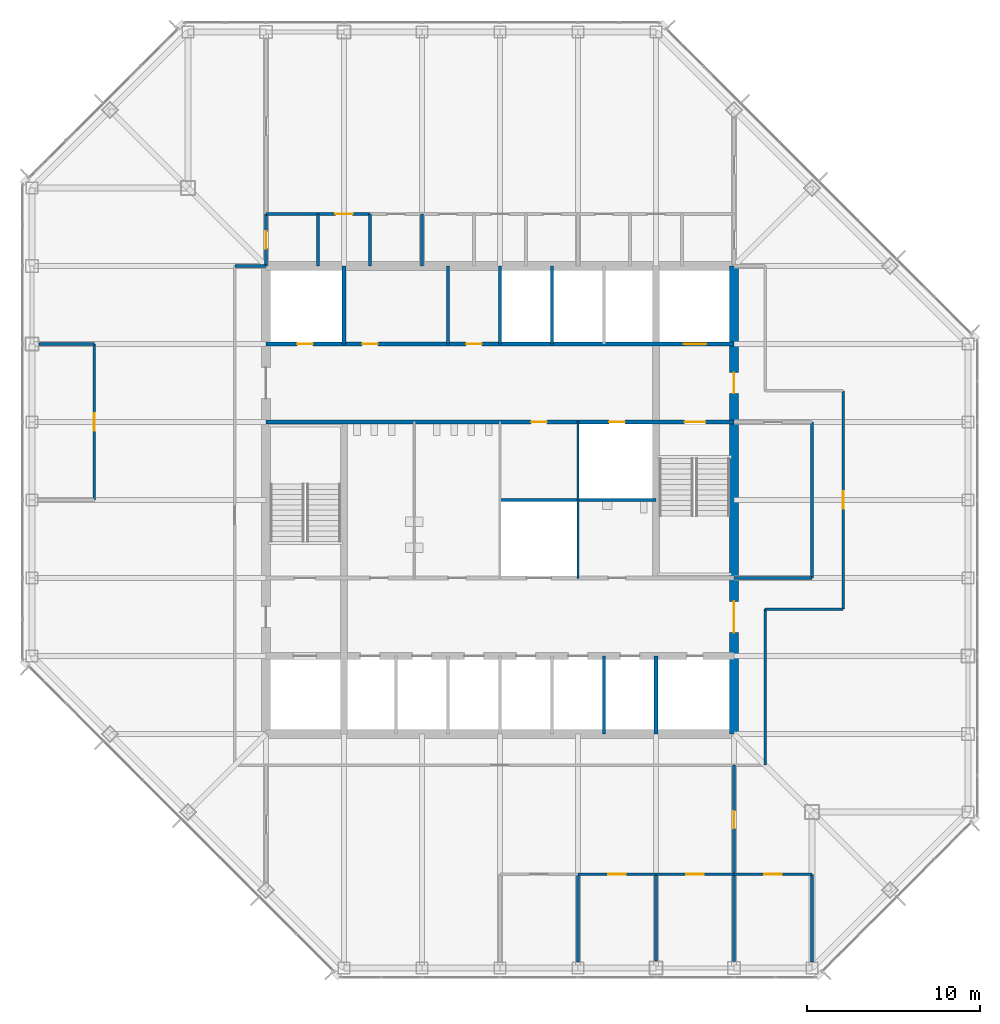
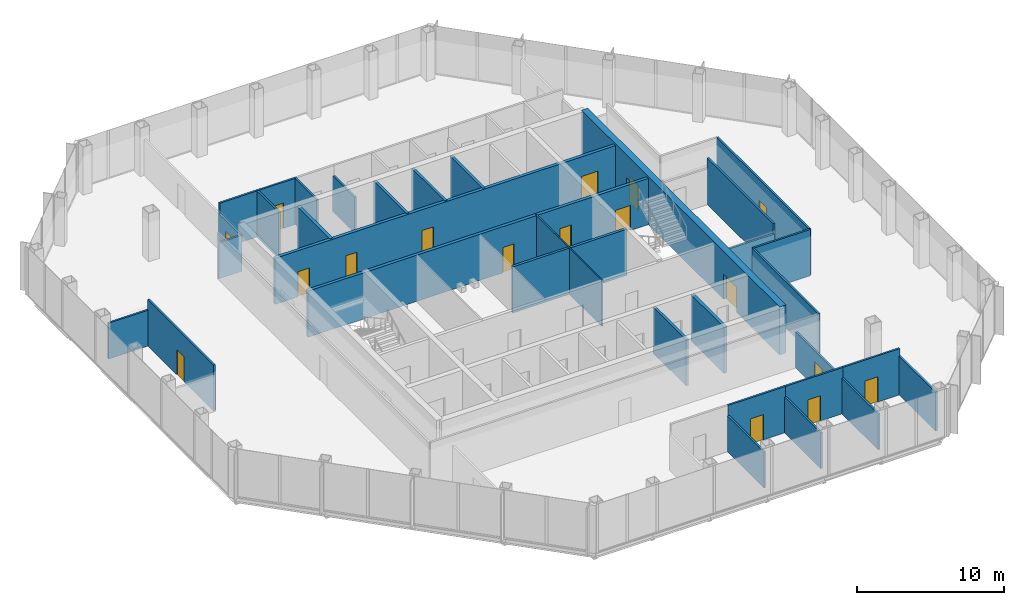
# One storey, part 9 of 12: 33 walls, 17 doors, 17 openings.
"""IFC4 building model written with IfcOpenShell, lengths in metres."""

import ifcopenshell
import ifcopenshell.guid

model = None  # the IFC model being written
_history = None  # IfcOwnerHistory: only IFC2X3 demands one
_inside = {}  # id of a spatial element -> (the spatial element, [elements in it])
_under = {}  # id of a project, library or spatial element -> (it, [spatial elements below it])
_declared = {}  # id of a project -> (the project, [libraries it declares])
_typed = {}  # id of a type object -> (the type object, [elements of that type])
_made_of = {}  # id of a material, layer set ... -> (it, [elements and type objects made of it])


def new_model(schema):
    """Start an empty IFC model of exactly this schema.

    Asked for "IFC4X3", IfcOpenShell would pick the latest addendum, in which some entities
    have other attributes; the version numbers below select the first issue.
    IFC2X3 requires an IfcOwnerHistory on every rooted entity: one is made here for all.
    """
    global model, _history
    if schema == "IFC4X3":
        model = ifcopenshell.file(schema_version=(4, 3, 0, 0))
    else:
        model = ifcopenshell.file(schema=schema)
    _inside.clear()
    _under.clear()
    _declared.clear()
    _typed.clear()
    _made_of.clear()
    _history = None
    if model.schema == "IFC2X3":
        org = make("IfcOrganization", Name="unknown")
        user = make(
            "IfcPersonAndOrganization",
            ThePerson=make("IfcPerson", FamilyName="unknown"),
            TheOrganization=org,
        )
        app = make(
            "IfcApplication",
            ApplicationDeveloper=org,
            Version="unknown",
            ApplicationFullName="unknown",
            ApplicationIdentifier="unknown",
        )
        _history = make(
            "IfcOwnerHistory",
            OwningUser=user,
            OwningApplication=app,
            ChangeAction="ADDED",
            CreationDate=0,
        )
    return model


def make(cls, **values):
    """One entity of the class cls with the attributes given. An attribute that is None is left unset."""
    return model.create_entity(
        cls, **{name: value for name, value in values.items() if value is not None}
    )


def rooted(cls, **values):
    """An entity with a GlobalId (a new one), such as an element, a storey or a relation."""
    return make(cls, GlobalId=ifcopenshell.guid.new(), OwnerHistory=_history, **values)


def si_unit(unit_type, name, prefix=None):
    """IfcSIUnit, for example si_unit("LENGTHUNIT", "METRE", prefix="MILLI")."""
    return make("IfcSIUnit", UnitType=unit_type, Prefix=prefix, Name=name)


def assignment(units):
    """IfcUnitAssignment: the units of a project."""
    return None if units is None else make("IfcUnitAssignment", Units=units)


def point(xyz):
    """IfcCartesianPoint."""
    return None if xyz is None else make("IfcCartesianPoint", Coordinates=xyz)


def direction(xyz):
    """IfcDirection."""
    return None if xyz is None else make("IfcDirection", DirectionRatios=xyz)


def frame(location, z_axis=None, x_axis=None):
    """IfcAxis2Placement3D, a coordinate frame: its origin and axes. An axis left out is left unset."""
    return make(
        "IfcAxis2Placement3D",
        Location=point(location),
        Axis=direction(z_axis),
        RefDirection=direction(x_axis),
    )


def frame_2d(location, x_axis=None):
    """IfcAxis2Placement2D, a coordinate frame in the plane: its origin and x axis."""
    return make(
        "IfcAxis2Placement2D", Location=point(location), RefDirection=direction(x_axis)
    )


def origin():
    """The frame at (0, 0, 0) with its axes left unset."""
    return frame((0.0, 0.0, 0.0))


def place(relative_to, where):
    """IfcLocalPlacement: puts the frame where relative to a parent placement (None: the world)."""
    return make(
        "IfcLocalPlacement", PlacementRelTo=relative_to, RelativePlacement=where
    )


def context(
    kind, dimensions, precision=None, world=None, true_north=None, identifier=None
):
    """IfcGeometricRepresentationContext, for example the 3D "Model" context."""
    return make(
        "IfcGeometricRepresentationContext",
        ContextIdentifier=identifier,
        ContextType=kind,
        CoordinateSpaceDimension=dimensions,
        Precision=precision,
        WorldCoordinateSystem=world,
        TrueNorth=true_north,
    )


def subcontext(parent, identifier, kind, view, scale=None):
    """IfcGeometricRepresentationSubContext, for example "Body" below "Model"."""
    return make(
        "IfcGeometricRepresentationSubContext",
        ContextIdentifier=identifier,
        ContextType=kind,
        ParentContext=parent,
        TargetScale=scale,
        TargetView=view,
    )


def project(units=None, contexts=None):
    """IfcProject with its units and contexts."""
    return rooted(
        "IfcProject",
        Name="project",
        RepresentationContexts=contexts,
        UnitsInContext=assignment(units),
    )


def spatial(cls, under=None, at=None, **own):
    """A site, building, storey or space (cls), placed at a placement, below another one or the project."""
    s = rooted(cls, ObjectPlacement=at, **own)
    if under is not None:
        _under.setdefault(under.id(), (under, []))[1].append(s)
    return s


def profile(cls, at=None, kind="AREA", **sizes):
    """A parametric profile (cls). Its sizes go by their IFC names, for example OverallWidth=200.0."""
    return make(cls, ProfileType=kind, Position=at, **sizes)


def rectangle(**sizes):
    """IfcRectangleProfileDef."""
    return profile("IfcRectangleProfileDef", **sizes)


def extrude(swept, where, along, depth):
    """IfcExtrudedAreaSolid: the profile swept, set in the frame where, extruded along a direction by depth."""
    return make(
        "IfcExtrudedAreaSolid",
        SweptArea=swept,
        Position=where,
        ExtrudedDirection=direction(along),
        Depth=depth,
    )


def shape(context_of_items, identifier, shape_type, items):
    """IfcShapeRepresentation: the items that make up one representation, for example the "Body"."""
    return make(
        "IfcShapeRepresentation",
        ContextOfItems=context_of_items,
        RepresentationIdentifier=identifier,
        RepresentationType=shape_type,
        Items=items,
    )


def material(Name=None, Category=None):
    """IfcMaterial."""
    return make("IfcMaterial", Name=Name, Category=Category)


def layer(
    of_material, thickness, ventilated=None, Name=None, Category=None, Priority=None
):
    """IfcMaterialLayer: one layer of a wall or slab, of a material (None: an air gap)."""
    return make(
        "IfcMaterialLayer",
        Material=of_material,
        LayerThickness=thickness,
        IsVentilated=ventilated,
        Name=Name,
        Category=Category,
        Priority=Priority,
    )


def layer_set(layers, Name=None):
    """IfcMaterialLayerSet."""
    return make("IfcMaterialLayerSet", MaterialLayers=layers, LayerSetName=Name)


def made_of(thing, what):
    """Note that an element or type object is made of a material, layer set ...; save() writes the relation."""
    if what is not None:
        _made_of.setdefault(what.id(), (what, []))[1].append(thing)
    return thing


def type_object(cls, material=None, **own):
    """A type object (cls), such as IfcWallType, which elements share."""
    return made_of(rooted(cls, **own), material)


def element(
    cls,
    number,
    at=None,
    inside=None,
    cuts=None,
    type_object=None,
    material=None,
    context=None,
    identifier="Body",
    shape_type=None,
    held_by="IfcProductDefinitionShape",
    body=None,
    shapes=None,
    **own,
):
    """One element of the class cls, such as IfcWall. Its Tag is "e" and its number.

    at: its placement. inside: the storey or other place that contains it. cuts: it is an
    opening in that element (IfcRelVoidsElement). A single representation is given by context,
    identifier, shape_type and body (its items); several are given by shapes. held_by: the class
    of the entity that holds the representations. save() writes the other relations.
    """
    e = rooted(cls, Tag="e%d" % number, ObjectPlacement=at, **own)
    if body is not None:
        shapes = [shape(context, identifier, shape_type, body)]
    if shapes is not None:
        e.Representation = make(held_by, Representations=shapes)
    if inside is not None:
        _inside.setdefault(inside.id(), (inside, []))[1].append(e)
    if cuts is not None:
        rooted(
            "IfcRelVoidsElement", RelatingBuildingElement=cuts, RelatedOpeningElement=e
        )
    if type_object is not None:
        _typed.setdefault(type_object.id(), (type_object, []))[1].append(e)
    return made_of(e, material)


def fill(opening, filler):
    """IfcRelFillsElement: the door or window that sits in an opening."""
    return rooted(
        "IfcRelFillsElement",
        RelatingOpeningElement=opening,
        RelatedBuildingElement=filler,
    )


def aggregate(whole, parts):
    """IfcRelAggregates: a whole, such as a stair, and the parts it consists of."""
    return rooted("IfcRelAggregates", RelatingObject=whole, RelatedObjects=parts)


def save(model, path):
    """Write the relations noted so far, then the file.

    IfcRelAggregates (storeys below a building ...), IfcRelContainedInSpatialStructure (elements
    in a storey), IfcRelDefinesByType, IfcRelAssociatesMaterial and IfcRelDeclares: one each for
    every whole, place, type object, material and project.
    """
    for whole, parts in _under.values():
        aggregate(whole, parts)
    for where, things in _inside.values():
        rooted(
            "IfcRelContainedInSpatialStructure",
            RelatedElements=things,
            RelatingStructure=where,
        )
    for kind, things in _typed.values():
        rooted("IfcRelDefinesByType", RelatedObjects=things, RelatingType=kind)
    for what, things in _made_of.values():
        rooted("IfcRelAssociatesMaterial", RelatedObjects=things, RelatingMaterial=what)
    for by, libraries in _declared.values():
        rooted("IfcRelDeclares", RelatingContext=by, RelatedDefinitions=libraries)
    model.write(path)


model = new_model("IFC4")

# Units and contexts
model_context = context("Model", 3, precision=1e-05, world=origin(), true_north=direction((0.0, 1.0)))
body_context = subcontext(model_context, "Body", "Model", "MODEL_VIEW")
ifc_project = project(units=[si_unit("LENGTHUNIT", "METRE"), si_unit("AREAUNIT", "SQUARE_METRE"), si_unit("VOLUMEUNIT", "CUBIC_METRE"), si_unit("PLANEANGLEUNIT", "RADIAN"), si_unit("MASSUNIT", "GRAM", prefix="KILO")], contexts=[model_context])

# Site, building, storey
site_placement = place(None, origin())
site = spatial("IfcSite", under=ifc_project, at=site_placement, CompositionType="ELEMENT")
building_placement = place(site_placement, origin())
building = spatial("IfcBuilding", under=site, at=building_placement, Name="Corais Broadcast Tower", CompositionType="ELEMENT")
storey_placement = place(building_placement, frame((0.0, 0.0, 163.60009765625)))
storey = spatial("IfcBuildingStorey", under=building, at=storey_placement, Name="L37", CompositionType="ELEMENT", Elevation=163.60009765625)

# Walls
ifc_material_1 = material(Name="Concrete blockwork class A, grouted, two-hour", Category="masonry")
ifc_layer_1 = layer(ifc_material_1, 0.25)
ifc_layer_set_1 = layer_set([ifc_layer_1], Name="Concrete blockwork class A, grouted, two-hour")
wall_type_1 = type_object("IfcWallType", Name="Core lobby wall 250", PredefinedType="SOLIDWALL", material=ifc_layer_set_1)
for number, where, z_axis, x_axis, name in (
    (1, (18.0, 36.0, 0.0), (0.0, 0.0, 1.0), (0.0, 1.0, 0.0), "CL2 core shaft wall X18B L37"),
    (2, (36.0, 13.5, 0.0), (0.0, 0.0, 1.0), (0.0, 1.0, 0.0), "CL2 core shaft wall X36A L37"),
):
    element("IfcWall", number, at=place(storey_placement, frame(where, z_axis=z_axis, x_axis=x_axis)), inside=storey, type_object=wall_type_1, Name=name, PredefinedType="SOLIDWALL", context=body_context, shape_type="SweptSolid", body=[
        extrude(rectangle(XDim=4.5, YDim=0.25, at=frame_2d((2.25, 0.0))), origin(), (0.0, 0.0, 1.0), 3.83984375),
    ])

# Wall, openings, doors
wall_1_placement = place(storey_placement, frame((13.5, 31.5, 0.0), z_axis=(0.0, 0.0, 1.0), x_axis=(1.0, 0.0, 0.0)))
wall_1 = element("IfcWall", 3, at=wall_1_placement, inside=storey, type_object=wall_type_1, Name="CL2 core lobby wall Y315 L37", PredefinedType="SOLIDWALL", context=body_context, shape_type="SweptSolid", body=[
    extrude(rectangle(XDim=27.0, YDim=0.25, at=frame_2d((13.5, 0.0))), origin(), (0.0, 0.0, 1.0), 3.83984375),
])
opening_1_placement = place(wall_1_placement, frame((24.14990234375, 0.0, 0.0)))
opening_1 = element("IfcOpeningElement", 4, at=opening_1_placement, cuts=wall_1, Name="Opening FD1", PredefinedType="OPENING", context=body_context, shape_type="SweptSolid", body=[
    extrude(rectangle(XDim=1.199951171875, YDim=2.10009765625, at=frame_2d((0.60009765625, 1.050048828125))), frame((0.0, 0.135009765625, 0.0), z_axis=(0.0, -1.0, 0.0), x_axis=(1.0, 0.0, 0.0)), (0.0, 0.0, 1.0), 0.27001953125),
])
opening_2_placement = place(wall_1_placement, frame((15.300048828125, 0.0, 0.0)))
opening_2 = element("IfcOpeningElement", 5, at=opening_2_placement, cuts=wall_1, Name="Opening RD1", PredefinedType="OPENING", context=body_context, shape_type="SweptSolid", body=[
    extrude(rectangle(XDim=0.89990234375, YDim=2.10009765625, at=frame_2d((0.449951171875, 1.050048828125))), frame((0.0, 0.135009765625, 0.0), z_axis=(0.0, -1.0, 0.0), x_axis=(1.0, 0.0, 0.0)), (0.0, 0.0, 1.0), 0.27001953125),
])
opening_3_placement = place(wall_1_placement, frame((19.800048828125, 0.0, 0.0)))
opening_3 = element("IfcOpeningElement", 6, at=opening_3_placement, cuts=wall_1, Name="Opening RD1", PredefinedType="OPENING", context=body_context, shape_type="SweptSolid", body=[
    extrude(rectangle(XDim=0.89990234375, YDim=2.10009765625, at=frame_2d((0.449951171875, 1.050048828125))), frame((0.0, 0.135009765625, 0.0), z_axis=(0.0, -1.0, 0.0), x_axis=(1.0, 0.0, 0.0)), (0.0, 0.0, 1.0), 0.27001953125),
])
ifc_material_2 = material(Name="Steel fire door", Category="steel")
door_type_1 = type_object("IfcDoorType", Name="Fire door 1200x2100", OperationType="SINGLE_SWING_LEFT", PredefinedType="DOOR", material=ifc_material_2)
door_1_placement = place(opening_1_placement, origin())
door_1 = element("IfcDoor", 7, at=door_1_placement, inside=storey, type_object=door_type_1, Name="FD1 stair B door L37", OperationType="SINGLE_SWING_RIGHT", OverallHeight=2.10009765625, OverallWidth=1.199951171875, PredefinedType="DOOR", context=body_context, shape_type="SweptSolid", body=[
    extrude(rectangle(XDim=1.199951171875, YDim=2.10009765625, at=frame_2d((0.60009765625, 1.050048828125))), frame((0.0, 0.02490234375, 0.0), z_axis=(0.0, -1.0, 0.0), x_axis=(1.0, 0.0, 0.0)), (0.0, 0.0, 1.0), 0.050048828125),
])
fill(opening_1, door_1)
ifc_material_3 = material(Name="Steel fire door", Category="steel")
door_type_2 = type_object("IfcDoorType", Name="Riser door 900x2100", OperationType="SINGLE_SWING_LEFT", PredefinedType="DOOR", material=ifc_material_3)
door_2_placement = place(opening_2_placement, origin())
door_2 = element("IfcDoor", 8, at=door_2_placement, inside=storey, type_object=door_type_2, Name="RD1 print room door L37", OperationType="SINGLE_SWING_RIGHT", OverallHeight=2.10009765625, OverallWidth=0.89990234375, PredefinedType="DOOR", context=body_context, shape_type="SweptSolid", body=[
    extrude(rectangle(XDim=0.89990234375, YDim=2.10009765625, at=frame_2d((0.449951171875, 1.050048828125))), frame((0.0, 0.02490234375, 0.0), z_axis=(0.0, -1.0, 0.0), x_axis=(1.0, 0.0, 0.0)), (0.0, 0.0, 1.0), 0.050048828125),
])
fill(opening_2, door_2)
door_3_placement = place(opening_3_placement, origin())
door_3 = element("IfcDoor", 9, at=door_3_placement, inside=storey, type_object=door_type_2, Name="RD1 riser door L37", OperationType="SINGLE_SWING_RIGHT", OverallHeight=2.10009765625, OverallWidth=0.89990234375, PredefinedType="DOOR", context=body_context, shape_type="SweptSolid", body=[
    extrude(rectangle(XDim=0.89990234375, YDim=2.10009765625, at=frame_2d((0.449951171875, 1.050048828125))), frame((0.0, 0.02490234375, 0.0), z_axis=(0.0, -1.0, 0.0), x_axis=(1.0, 0.0, 0.0)), (0.0, 0.0, 1.0), 0.050048828125),
])
fill(opening_3, door_3)

ifc_material_4 = material(Name="Concrete C50/60", Category="concrete")
ifc_layer_2 = layer(ifc_material_4, 0.5)
ifc_layer_set_2 = layer_set([ifc_layer_2], Name="Concrete C50/60")
wall_type_2 = type_object("IfcWallType", Name="Core wall 500", PredefinedType="SHEAR", material=ifc_layer_set_2)
wall_2_placement = place(storey_placement, frame((40.5, 13.5, 0.0), z_axis=(0.0, 0.0, 1.0), x_axis=(0.0, 1.0, 0.0)))
wall_2 = element("IfcWall", 10, at=wall_2_placement, inside=storey, type_object=wall_type_2, Name="CR500 core wall E L37", PredefinedType="SHEAR", context=body_context, shape_type="SweptSolid", body=[
    extrude(rectangle(XDim=27.0, YDim=0.5, at=frame_2d((13.5, 0.0))), origin(), (0.0, 0.0, 1.0), 4.0),
])
opening_4_placement = place(wall_2_placement, frame((5.85009765625, 0.0, 0.0)))
opening_4 = element("IfcOpeningElement", 11, at=opening_4_placement, cuts=wall_2, Name="Opening FD2", PredefinedType="OPENING", context=body_context, shape_type="SweptSolid", body=[
    extrude(rectangle(XDim=1.800048828125, YDim=2.10009765625, at=frame_2d((0.89990234375, 1.050048828125))), frame((0.0, 0.260009765625, 0.0), z_axis=(0.0, -1.0, 0.0), x_axis=(1.0, 0.0, 0.0)), (0.0, 0.0, 1.0), 0.52001953125),
])
opening_5_placement = place(wall_2_placement, frame((19.64990234375, 0.0, 0.0)))
opening_5 = element("IfcOpeningElement", 12, at=opening_5_placement, cuts=wall_2, Name="Opening FD1", PredefinedType="OPENING", context=body_context, shape_type="SweptSolid", body=[
    extrude(rectangle(XDim=1.199951171875, YDim=2.10009765625, at=frame_2d((0.60009765625, 1.050048828125))), frame((0.0, 0.260009765625, 0.0), z_axis=(0.0, -1.0, 0.0), x_axis=(1.0, 0.0, 0.0)), (0.0, 0.0, 1.0), 0.52001953125),
])
door_4_placement = place(opening_5_placement, origin())
door_4 = element("IfcDoor", 13, at=door_4_placement, inside=storey, type_object=door_type_1, Name="FD1 fire lobby B door L37", OperationType="SINGLE_SWING_RIGHT", OverallHeight=2.10009765625, OverallWidth=1.199951171875, PredefinedType="DOOR", context=body_context, shape_type="SweptSolid", body=[
    extrude(rectangle(XDim=1.199951171875, YDim=2.10009765625, at=frame_2d((0.60009765625, 1.050048828125))), frame((0.0, 0.02490234375, 0.0), z_axis=(0.0, -1.0, 0.0), x_axis=(1.0, 0.0, 0.0)), (0.0, 0.0, 1.0), 0.050048828125),
])
fill(opening_5, door_4)
ifc_material_5 = material(Name="Steel fire door", Category="steel")
door_type_3 = type_object("IfcDoorType", Name="Fire door pair 1800x2100", OperationType="DOUBLE_DOOR_SINGLE_SWING", PredefinedType="DOOR", material=ifc_material_5)
door_5_placement = place(opening_4_placement, origin())
door_5 = element("IfcDoor", 14, at=door_5_placement, inside=storey, type_object=door_type_3, Name="FD2 lift lobby door L37", OperationType="SINGLE_SWING_LEFT", OverallHeight=2.10009765625, OverallWidth=1.800048828125, PredefinedType="DOOR", context=body_context, shape_type="SweptSolid", body=[
    extrude(rectangle(XDim=1.800048828125, YDim=2.10009765625, at=frame_2d((0.89990234375, 1.050048828125))), frame((0.0, 0.02490234375, 0.0), z_axis=(0.0, -1.0, 0.0), x_axis=(1.0, 0.0, 0.0)), (0.0, 0.0, 1.0), 0.050048828125),
])
fill(opening_4, door_5)

ifc_material_6 = material(Name="Concrete blockwork class A, grouted, four-hour", Category="masonry")
ifc_layer_3 = layer(ifc_material_6, 0.25)
ifc_layer_set_3 = layer_set([ifc_layer_3], Name="Concrete blockwork class A, grouted, four-hour")
wall_type_3 = type_object("IfcWallType", Name="Emergency lift shaft wall 250", PredefinedType="SOLIDWALL", material=ifc_layer_set_3)
wall_3_placement = place(storey_placement, frame((13.5, 36.0, 0.0), z_axis=(0.0, 0.0, 1.0), x_axis=(1.0, 0.0, 0.0)))
wall_3 = element("IfcWall", 15, at=wall_3_placement, inside=storey, type_object=wall_type_3, Name="LS2 core lobby wall Y36 L37", PredefinedType="SOLIDWALL", context=body_context, shape_type="SweptSolid", body=[
    extrude(rectangle(XDim=27.0, YDim=0.25, at=frame_2d((13.5, 0.0))), origin(), (0.0, 0.0, 1.0), 3.83984375),
])
opening_6_placement = place(wall_3_placement, frame((1.800048828125, 0.0, 0.0)))
opening_6 = element("IfcOpeningElement", 16, at=opening_6_placement, cuts=wall_3, Name="Opening RD1", PredefinedType="OPENING", context=body_context, shape_type="SweptSolid", body=[
    extrude(rectangle(XDim=0.89990234375, YDim=2.10009765625, at=frame_2d((0.449951171875, 1.050048828125))), frame((0.0, 0.135009765625, 0.0), z_axis=(0.0, -1.0, 0.0), x_axis=(1.0, 0.0, 0.0)), (0.0, 0.0, 1.0), 0.27001953125),
])
opening_7_placement = place(wall_3_placement, frame((5.550048828125, 0.0, 0.0)))
opening_7 = element("IfcOpeningElement", 17, at=opening_7_placement, cuts=wall_3, Name="Opening RD1", PredefinedType="OPENING", context=body_context, shape_type="SweptSolid", body=[
    extrude(rectangle(XDim=0.89990234375, YDim=2.10009765625, at=frame_2d((0.449951171875, 1.050048828125))), frame((0.0, 0.135009765625, 0.0), z_axis=(0.0, -1.0, 0.0), x_axis=(1.0, 0.0, 0.0)), (0.0, 0.0, 1.0), 0.27001953125),
])
opening_8_placement = place(wall_3_placement, frame((11.550048828125, 0.0, 0.0)))
opening_8 = element("IfcOpeningElement", 18, at=opening_8_placement, cuts=wall_3, Name="Opening RD1", PredefinedType="OPENING", context=body_context, shape_type="SweptSolid", body=[
    extrude(rectangle(XDim=0.89990234375, YDim=2.10009765625, at=frame_2d((0.449951171875, 1.050048828125))), frame((0.0, 0.135009765625, 0.0), z_axis=(0.0, -1.0, 0.0), x_axis=(1.0, 0.0, 0.0)), (0.0, 0.0, 1.0), 0.27001953125),
])
opening_9_placement = place(wall_3_placement, frame((24.10009765625, 0.0, 0.0)))
opening_9 = element("IfcOpeningElement", 19, at=opening_9_placement, cuts=wall_3, Name="Opening LD2", PredefinedType="OPENING", context=body_context, shape_type="SweptSolid", body=[
    extrude(rectangle(XDim=1.300048828125, YDim=2.199951171875, at=frame_2d((0.64990234375, 1.10009765625))), frame((0.0, 0.135009765625, 0.0), z_axis=(0.0, -1.0, 0.0), x_axis=(1.0, 0.0, 0.0)), (0.0, 0.0, 1.0), 0.27001953125),
])
ifc_material_7 = material(Name="Stainless steel lift door", Category="steel")
door_type_4 = type_object("IfcDoorType", Name="Lift landing door 1300x2200", OperationType="SLIDING_TO_LEFT", PredefinedType="DOOR", material=ifc_material_7)
door_6_placement = place(opening_9_placement, origin())
door_6 = element("IfcDoor", 20, at=door_6_placement, inside=storey, type_object=door_type_4, Name="LD2 FL2 landing door L37", OperationType="SLIDING_TO_LEFT", OverallHeight=2.199951171875, OverallWidth=1.300048828125, PredefinedType="DOOR", context=body_context, shape_type="SweptSolid", body=[
    extrude(rectangle(XDim=1.300048828125, YDim=2.199951171875, at=frame_2d((0.64990234375, 1.10009765625))), frame((0.0, 0.02490234375, 0.0), z_axis=(0.0, -1.0, 0.0), x_axis=(1.0, 0.0, 0.0)), (0.0, 0.0, 1.0), 0.050048828125),
])
fill(opening_9, door_6)
door_7_placement = place(opening_6_placement, origin())
door_7 = element("IfcDoor", 21, at=door_7_placement, inside=storey, type_object=door_type_2, Name="RD1 riser door L37", OperationType="SINGLE_SWING_LEFT", OverallHeight=2.10009765625, OverallWidth=0.89990234375, PredefinedType="DOOR", context=body_context, shape_type="SweptSolid", body=[
    extrude(rectangle(XDim=0.89990234375, YDim=2.10009765625, at=frame_2d((0.449951171875, 1.050048828125))), frame((0.0, 0.02490234375, 0.0), z_axis=(0.0, -1.0, 0.0), x_axis=(1.0, 0.0, 0.0)), (0.0, 0.0, 1.0), 0.050048828125),
])
fill(opening_6, door_7)
door_8_placement = place(opening_7_placement, origin())
door_8 = element("IfcDoor", 22, at=door_8_placement, inside=storey, type_object=door_type_2, Name="RD1 wellness room door L37", OperationType="SINGLE_SWING_LEFT", OverallHeight=2.10009765625, OverallWidth=0.89990234375, PredefinedType="DOOR", context=body_context, shape_type="SweptSolid", body=[
    extrude(rectangle(XDim=0.89990234375, YDim=2.10009765625, at=frame_2d((0.449951171875, 1.050048828125))), frame((0.0, 0.02490234375, 0.0), z_axis=(0.0, -1.0, 0.0), x_axis=(1.0, 0.0, 0.0)), (0.0, 0.0, 1.0), 0.050048828125),
])
fill(opening_7, door_8)
door_9_placement = place(opening_8_placement, origin())
door_9 = element("IfcDoor", 23, at=door_9_placement, inside=storey, type_object=door_type_2, Name="RD1 first aid room door L37", OperationType="SINGLE_SWING_LEFT", OverallHeight=2.10009765625, OverallWidth=0.89990234375, PredefinedType="DOOR", context=body_context, shape_type="SweptSolid", body=[
    extrude(rectangle(XDim=0.89990234375, YDim=2.10009765625, at=frame_2d((0.449951171875, 1.050048828125))), frame((0.0, 0.02490234375, 0.0), z_axis=(0.0, -1.0, 0.0), x_axis=(1.0, 0.0, 0.0)), (0.0, 0.0, 1.0), 0.050048828125),
])
fill(opening_8, door_9)

# Wall, opening, door
ifc_material_8 = material(Name="Gypsum board on steel studs", Category="steel")
ifc_layer_4 = layer(ifc_material_8, 0.14990234375)
ifc_layer_set_4 = layer_set([ifc_layer_4], Name="Gypsum board on steel studs")
wall_type_4 = type_object("IfcWallType", Name="Partition 150", PredefinedType="PARTITIONING", material=ifc_layer_set_4)
wall_4_placement = place(storey_placement, frame((46.800048828125, 20.699951171875, 0.0), z_axis=(0.0, 0.0, 1.0), x_axis=(0.0, 1.0, 0.0)))
wall_4 = element("IfcWall", 24, at=wall_4_placement, inside=storey, type_object=wall_type_4, Name="IW3 corridor wall L37", PredefinedType="PARTITIONING", context=body_context, shape_type="SweptSolid", body=[
    extrude(rectangle(XDim=12.60009765625, YDim=0.14990234375, at=frame_2d((6.300048828125, 0.0))), origin(), (0.0, 0.0, 1.0), 3.83984375),
])
opening_10_placement = place(wall_4_placement, frame((5.800048828125, 0.0, 0.0)))
opening_10 = element("IfcOpeningElement", 25, at=opening_10_placement, cuts=wall_4, Name="Opening D1", PredefinedType="OPENING", context=body_context, shape_type="SweptSolid", body=[
    extrude(rectangle(XDim=1.0, YDim=2.10009765625, at=frame_2d((0.5, 1.050048828125))), frame((0.0, 0.0849609375, 0.0), z_axis=(0.0, -1.0, 0.0), x_axis=(1.0, 0.0, 0.0)), (0.0, 0.0, 1.0), 0.169921875),
])
ifc_material_9 = material(Name="Timber door", Category="wood")
door_type_5 = type_object("IfcDoorType", Name="Single door 1000x2100", OperationType="SINGLE_SWING_LEFT", PredefinedType="DOOR", material=ifc_material_9)
door_10_placement = place(opening_10_placement, origin())
door_10 = element("IfcDoor", 26, at=door_10_placement, inside=storey, type_object=door_type_5, Name="D1 workplace door L37", OperationType="SINGLE_SWING_LEFT", OverallHeight=2.10009765625, OverallWidth=1.0, PredefinedType="DOOR", context=body_context, shape_type="SweptSolid", body=[
    extrude(rectangle(XDim=1.0, YDim=2.10009765625, at=frame_2d((0.5, 1.050048828125))), frame((0.0, 0.02490234375, 0.0), z_axis=(0.0, -1.0, 0.0), x_axis=(1.0, 0.0, 0.0)), (0.0, 0.0, 1.0), 0.050048828125),
])
fill(opening_10, door_10)

# Walls
wall_5_placement = place(storey_placement, frame((42.300048828125, 11.699951171875, 0.0), z_axis=(0.0, 0.0, 1.0), x_axis=(0.0, 1.0, 0.0)))
element("IfcWall", 27, at=wall_5_placement, inside=storey, type_object=wall_type_4, Name="IW3 corridor wall L37", PredefinedType="PARTITIONING", context=body_context, shape_type="SweptSolid", body=[
    extrude(rectangle(XDim=9.0, YDim=0.14990234375, at=frame_2d((4.5, 0.0))), origin(), (0.0, 0.0, 1.0), 3.83984375),
])
wall_6_placement = place(storey_placement, frame((42.300048828125, 20.699951171875, 0.0), z_axis=(0.0, 0.0, 1.0), x_axis=(1.0, 0.0, 0.0)))
element("IfcWall", 28, at=wall_6_placement, inside=storey, type_object=wall_type_4, Name="IW3 corridor wall L37", PredefinedType="PARTITIONING", context=body_context, shape_type="SweptSolid", body=[
    extrude(rectangle(XDim=4.5, YDim=0.14990234375, at=frame_2d((2.25, 0.0))), origin(), (0.0, 0.0, 1.0), 3.83984375),
])
wall_7_placement = place(storey_placement, frame((13.5, 40.5, 0.0), z_axis=(0.0, 0.0, 1.0), x_axis=(-1.0, 0.0, 0.0)))
element("IfcWall", 29, at=wall_7_placement, inside=storey, type_object=wall_type_4, Name="IW3 corridor wall L37", PredefinedType="PARTITIONING", context=body_context, shape_type="SweptSolid", body=[
    extrude(rectangle(XDim=1.800048828125, YDim=0.14990234375, at=frame_2d((0.89990234375, 0.0))), origin(), (0.0, 0.0, 1.0), 2.989013671875),
])
for number, where, z_axis, x_axis, name in (
    (30, (16.5, 40.5, 0.0), (0.0, 0.0, 1.0), (0.0, 1.0, 0.0), "IW3 partition L37"),
    (31, (16.5, 43.5, 0.0), (0.0, 0.0, 1.0), (-1.0, 0.0, 0.0), "IW3 partition L37"),
):
    element("IfcWall", number, at=place(storey_placement, frame(where, z_axis=z_axis, x_axis=x_axis)), inside=storey, type_object=wall_type_4, Name=name, PredefinedType="PARTITIONING", context=body_context, shape_type="SweptSolid", body=[
        extrude(rectangle(XDim=3.0, YDim=0.14990234375, at=frame_2d((1.5, 0.0))), origin(), (0.0, 0.0, 1.0), 3.83984375),
    ])

# Wall, opening, door
wall_8_placement = place(storey_placement, frame((13.5, 43.5, 0.0), z_axis=(0.0, 0.0, 1.0), x_axis=(0.0, -1.0, 0.0)))
wall_8 = element("IfcWall", 32, at=wall_8_placement, inside=storey, type_object=wall_type_4, Name="IW3 partition L37", PredefinedType="PARTITIONING", context=body_context, shape_type="SweptSolid", body=[
    extrude(rectangle(XDim=3.0, YDim=0.14990234375, at=frame_2d((1.5, 0.0))), origin(), (0.0, 0.0, 1.0), 2.989013671875),
])
opening_11_placement = place(wall_8_placement, frame((1.0, 0.0, 0.0)))
opening_11 = element("IfcOpeningElement", 33, at=opening_11_placement, cuts=wall_8, Name="Opening D1", PredefinedType="OPENING", context=body_context, shape_type="SweptSolid", body=[
    extrude(rectangle(XDim=1.0, YDim=2.10009765625, at=frame_2d((0.5, 1.050048828125))), frame((0.0, 0.0849609375, 0.0), z_axis=(0.0, -1.0, 0.0), x_axis=(1.0, 0.0, 0.0)), (0.0, 0.0, 1.0), 0.169921875),
])
door_11_placement = place(opening_11_placement, origin())
door_11 = element("IfcDoor", 34, at=door_11_placement, inside=storey, type_object=door_type_5, Name="D1 Podcast booth door", OperationType="SINGLE_SWING_LEFT", OverallHeight=2.10009765625, OverallWidth=1.0, PredefinedType="DOOR", context=body_context, shape_type="SweptSolid", body=[
    extrude(rectangle(XDim=1.0, YDim=2.10009765625, at=frame_2d((0.5, 1.050048828125))), frame((0.0, 0.02490234375, 0.0), z_axis=(0.0, -1.0, 0.0), x_axis=(1.0, 0.0, 0.0)), (0.0, 0.0, 1.0), 0.050048828125),
])
fill(opening_11, door_11)

# Wall
wall_9_placement = place(storey_placement, frame((19.5, 40.5, 0.0), z_axis=(0.0, 0.0, 1.0), x_axis=(0.0, 1.0, 0.0)))
element("IfcWall", 35, at=wall_9_placement, inside=storey, type_object=wall_type_4, Name="IW3 partition L37", PredefinedType="PARTITIONING", context=body_context, shape_type="SweptSolid", body=[
    extrude(rectangle(XDim=3.0, YDim=0.14990234375, at=frame_2d((1.5, 0.0))), origin(), (0.0, 0.0, 1.0), 3.83984375),
])

# Wall, opening, door
wall_10_placement = place(storey_placement, frame((19.5, 43.5, 0.0), z_axis=(0.0, 0.0, 1.0), x_axis=(-1.0, 0.0, 0.0)))
wall_10 = element("IfcWall", 36, at=wall_10_placement, inside=storey, type_object=wall_type_4, Name="IW3 partition L37", PredefinedType="PARTITIONING", context=body_context, shape_type="SweptSolid", body=[
    extrude(rectangle(XDim=3.0, YDim=0.14990234375, at=frame_2d((1.5, 0.0))), origin(), (0.0, 0.0, 1.0), 3.83984375),
])
opening_12_placement = place(wall_10_placement, frame((1.0, 0.0, 0.0)))
opening_12 = element("IfcOpeningElement", 37, at=opening_12_placement, cuts=wall_10, Name="Opening D1", PredefinedType="OPENING", context=body_context, shape_type="SweptSolid", body=[
    extrude(rectangle(XDim=1.0, YDim=2.10009765625, at=frame_2d((0.5, 1.050048828125))), frame((0.0, 0.0849609375, 0.0), z_axis=(0.0, -1.0, 0.0), x_axis=(1.0, 0.0, 0.0)), (0.0, 0.0, 1.0), 0.169921875),
])
door_12_placement = place(opening_12_placement, origin())
door_12 = element("IfcDoor", 38, at=door_12_placement, inside=storey, type_object=door_type_5, Name="D1 Podcast booth door", OperationType="SINGLE_SWING_LEFT", OverallHeight=2.10009765625, OverallWidth=1.0, PredefinedType="DOOR", context=body_context, shape_type="SweptSolid", body=[
    extrude(rectangle(XDim=1.0, YDim=2.10009765625, at=frame_2d((0.5, 1.050048828125))), frame((0.0, 0.02490234375, 0.0), z_axis=(0.0, -1.0, 0.0), x_axis=(1.0, 0.0, 0.0)), (0.0, 0.0, 1.0), 0.050048828125),
])
fill(opening_12, door_12)

# Walls
wall_11_placement = place(storey_placement, frame((22.5, 40.5, 0.0), z_axis=(0.0, 0.0, 1.0), x_axis=(0.0, 1.0, 0.0)))
element("IfcWall", 39, at=wall_11_placement, inside=storey, type_object=wall_type_4, Name="IW3 partition L37", PredefinedType="PARTITIONING", context=body_context, shape_type="SweptSolid", body=[
    extrude(rectangle(XDim=3.0, YDim=0.14990234375, at=frame_2d((1.5, 0.0))), origin(), (0.0, 0.0, 1.0), 2.989013671875),
])
wall_12_placement = place(storey_placement, frame((31.5, 0.360107421875, 0.0), z_axis=(0.0, 0.0, 1.0), x_axis=(0.0, 1.0, 0.0)))
element("IfcWall", 40, at=wall_12_placement, inside=storey, type_object=wall_type_4, Name="IW3 partition L37", PredefinedType="PARTITIONING", context=body_context, shape_type="SweptSolid", body=[
    extrude(rectangle(XDim=5.039794921875, YDim=0.14990234375, at=frame_2d((2.52001953125, 0.0))), origin(), (0.0, 0.0, 1.0), 2.989013671875),
])
wall_13_placement = place(storey_placement, frame((36.0, 0.409912109375, 0.0), z_axis=(0.0, 0.0, 1.0), x_axis=(0.0, 1.0, 0.0)))
element("IfcWall", 41, at=wall_13_placement, inside=storey, type_object=wall_type_4, Name="IW3 partition L37", PredefinedType="PARTITIONING", context=body_context, shape_type="SweptSolid", body=[
    extrude(rectangle(XDim=4.989990234375, YDim=0.14990234375, at=frame_2d((2.4951171875, 0.0))), origin(), (0.0, 0.0, 1.0), 2.989013671875),
])

# Wall, opening, door
wall_14_placement = place(storey_placement, frame((36.0, 5.39990234375, 0.0), z_axis=(0.0, 0.0, 1.0), x_axis=(-1.0, 0.0, 0.0)))
wall_14 = element("IfcWall", 42, at=wall_14_placement, inside=storey, type_object=wall_type_4, Name="IW3 partition L37", PredefinedType="PARTITIONING", context=body_context, shape_type="SweptSolid", body=[
    extrude(rectangle(XDim=4.5, YDim=0.14990234375, at=frame_2d((2.25, 0.0))), origin(), (0.0, 0.0, 1.0), 3.83984375),
])
opening_13_placement = place(wall_14_placement, frame((1.75, 0.0, 0.0)))
opening_13 = element("IfcOpeningElement", 43, at=opening_13_placement, cuts=wall_14, Name="Opening D1", PredefinedType="OPENING", context=body_context, shape_type="SweptSolid", body=[
    extrude(rectangle(XDim=1.0, YDim=2.10009765625, at=frame_2d((0.5, 1.050048828125))), frame((0.0, 0.0849609375, 0.0), z_axis=(0.0, -1.0, 0.0), x_axis=(1.0, 0.0, 0.0)), (0.0, 0.0, 1.0), 0.169921875),
])
door_13_placement = place(opening_13_placement, origin())
door_13 = element("IfcDoor", 44, at=door_13_placement, inside=storey, type_object=door_type_5, Name="D1 Office door", OperationType="SINGLE_SWING_LEFT", OverallHeight=2.10009765625, OverallWidth=1.0, PredefinedType="DOOR", context=body_context, shape_type="SweptSolid", body=[
    extrude(rectangle(XDim=1.0, YDim=2.10009765625, at=frame_2d((0.5, 1.050048828125))), frame((0.0, 0.02490234375, 0.0), z_axis=(0.0, -1.0, 0.0), x_axis=(1.0, 0.0, 0.0)), (0.0, 0.0, 1.0), 0.050048828125),
])
fill(opening_13, door_13)

# Wall
wall_15_placement = place(storey_placement, frame((40.5, 0.385009765625, 0.0), z_axis=(0.0, 0.0, 1.0), x_axis=(0.0, 1.0, 0.0)))
element("IfcWall", 45, at=wall_15_placement, inside=storey, type_object=wall_type_4, Name="IW3 partition L37", PredefinedType="PARTITIONING", context=body_context, shape_type="SweptSolid", body=[
    extrude(rectangle(XDim=5.014892578125, YDim=0.14990234375, at=frame_2d((2.50732421875, 0.0))), origin(), (0.0, 0.0, 1.0), 2.989013671875),
])

# Wall, opening, door
wall_16_placement = place(storey_placement, frame((40.5, 5.39990234375, 0.0), z_axis=(0.0, 0.0, 1.0), x_axis=(-1.0, 0.0, 0.0)))
wall_16 = element("IfcWall", 46, at=wall_16_placement, inside=storey, type_object=wall_type_4, Name="IW3 partition L37", PredefinedType="PARTITIONING", context=body_context, shape_type="SweptSolid", body=[
    extrude(rectangle(XDim=4.5, YDim=0.14990234375, at=frame_2d((2.25, 0.0))), origin(), (0.0, 0.0, 1.0), 3.83984375),
])
opening_14_placement = place(wall_16_placement, frame((1.75, 0.0, 0.0)))
opening_14 = element("IfcOpeningElement", 47, at=opening_14_placement, cuts=wall_16, Name="Opening D1", PredefinedType="OPENING", context=body_context, shape_type="SweptSolid", body=[
    extrude(rectangle(XDim=1.0, YDim=2.10009765625, at=frame_2d((0.5, 1.050048828125))), frame((0.0, 0.0849609375, 0.0), z_axis=(0.0, -1.0, 0.0), x_axis=(1.0, 0.0, 0.0)), (0.0, 0.0, 1.0), 0.169921875),
])
door_14_placement = place(opening_14_placement, origin())
door_14 = element("IfcDoor", 48, at=door_14_placement, inside=storey, type_object=door_type_5, Name="D1 Office door", OperationType="SINGLE_SWING_LEFT", OverallHeight=2.10009765625, OverallWidth=1.0, PredefinedType="DOOR", context=body_context, shape_type="SweptSolid", body=[
    extrude(rectangle(XDim=1.0, YDim=2.10009765625, at=frame_2d((0.5, 1.050048828125))), frame((0.0, 0.02490234375, 0.0), z_axis=(0.0, -1.0, 0.0), x_axis=(1.0, 0.0, 0.0)), (0.0, 0.0, 1.0), 0.050048828125),
])
fill(opening_14, door_14)

# Wall
wall_17_placement = place(storey_placement, frame((45.0, 0.360107421875, 0.0), z_axis=(0.0, 0.0, 1.0), x_axis=(0.0, 1.0, 0.0)))
element("IfcWall", 49, at=wall_17_placement, inside=storey, type_object=wall_type_4, Name="IW3 partition L37", PredefinedType="PARTITIONING", context=body_context, shape_type="SweptSolid", body=[
    extrude(rectangle(XDim=5.039794921875, YDim=0.14990234375, at=frame_2d((2.52001953125, 0.0))), origin(), (0.0, 0.0, 1.0), 3.22900390625),
])

# Wall, opening, door
wall_18_placement = place(storey_placement, frame((45.0, 5.39990234375, 0.0), z_axis=(0.0, 0.0, 1.0), x_axis=(-1.0, 0.0, 0.0)))
wall_18 = element("IfcWall", 50, at=wall_18_placement, inside=storey, type_object=wall_type_4, Name="IW3 partition L37", PredefinedType="PARTITIONING", context=body_context, shape_type="SweptSolid", body=[
    extrude(rectangle(XDim=4.5, YDim=0.14990234375, at=frame_2d((2.25, 0.0))), origin(), (0.0, 0.0, 1.0), 3.83984375),
])
opening_15_placement = place(wall_18_placement, frame((1.75, 0.0, 0.0)))
opening_15 = element("IfcOpeningElement", 51, at=opening_15_placement, cuts=wall_18, Name="Opening D1", PredefinedType="OPENING", context=body_context, shape_type="SweptSolid", body=[
    extrude(rectangle(XDim=1.0, YDim=2.10009765625, at=frame_2d((0.5, 1.050048828125))), frame((0.0, 0.0849609375, 0.0), z_axis=(0.0, -1.0, 0.0), x_axis=(1.0, 0.0, 0.0)), (0.0, 0.0, 1.0), 0.169921875),
])
door_15_placement = place(opening_15_placement, origin())
door_15 = element("IfcDoor", 52, at=door_15_placement, inside=storey, type_object=door_type_5, Name="D1 Office door", OperationType="SINGLE_SWING_LEFT", OverallHeight=2.10009765625, OverallWidth=1.0, PredefinedType="DOOR", context=body_context, shape_type="SweptSolid", body=[
    extrude(rectangle(XDim=1.0, YDim=2.10009765625, at=frame_2d((0.5, 1.050048828125))), frame((0.0, 0.02490234375, 0.0), z_axis=(0.0, -1.0, 0.0), x_axis=(1.0, 0.0, 0.0)), (0.0, 0.0, 1.0), 0.050048828125),
])
fill(opening_15, door_15)

# Walls
wall_19_placement = place(storey_placement, frame((40.5, 22.5, 0.0), z_axis=(0.0, 0.0, 1.0), x_axis=(1.0, 0.0, 0.0)))
element("IfcWall", 53, at=wall_19_placement, inside=storey, type_object=wall_type_4, Name="IW3 partition L37", PredefinedType="PARTITIONING", context=body_context, shape_type="SweptSolid", body=[
    extrude(rectangle(XDim=4.5, YDim=0.14990234375, at=frame_2d((2.25, 0.0))), origin(), (0.0, 0.0, 1.0), 2.989013671875),
])
wall_20_placement = place(storey_placement, frame((45.0, 22.5, 0.0), z_axis=(0.0, 0.0, 1.0), x_axis=(0.0, 1.0, 0.0)))
element("IfcWall", 54, at=wall_20_placement, inside=storey, type_object=wall_type_4, Name="IW3 partition L37", PredefinedType="PARTITIONING", context=body_context, shape_type="SweptSolid", body=[
    extrude(rectangle(XDim=9.0, YDim=0.14990234375, at=frame_2d((4.5, 0.0))), origin(), (0.0, 0.0, 1.0), 3.83984375),
])

# Wall, opening, door
wall_21_placement = place(storey_placement, frame((3.60009765625, 27.0, 0.0), z_axis=(0.0, 0.0, 1.0), x_axis=(0.0, 1.0, 0.0)))
wall_21 = element("IfcWall", 55, at=wall_21_placement, inside=storey, type_object=wall_type_4, Name="IW3 partition L37", PredefinedType="PARTITIONING", context=body_context, shape_type="SweptSolid", body=[
    extrude(rectangle(XDim=9.0, YDim=0.14990234375, at=frame_2d((4.5, 0.0))), origin(), (0.0, 0.0, 1.0), 3.83984375),
])
opening_16_placement = place(wall_21_placement, frame((4.0, 0.0, 0.0)))
opening_16 = element("IfcOpeningElement", 56, at=opening_16_placement, cuts=wall_21, Name="Opening D1", PredefinedType="OPENING", context=body_context, shape_type="SweptSolid", body=[
    extrude(rectangle(XDim=1.0, YDim=2.10009765625, at=frame_2d((0.5, 1.050048828125))), frame((0.0, 0.0849609375, 0.0), z_axis=(0.0, -1.0, 0.0), x_axis=(1.0, 0.0, 0.0)), (0.0, 0.0, 1.0), 0.169921875),
])
door_16_placement = place(opening_16_placement, origin())
door_16 = element("IfcDoor", 57, at=door_16_placement, inside=storey, type_object=door_type_5, Name="D1 Pantry door", OperationType="SINGLE_SWING_LEFT", OverallHeight=2.10009765625, OverallWidth=1.0, PredefinedType="DOOR", context=body_context, shape_type="SweptSolid", body=[
    extrude(rectangle(XDim=1.0, YDim=2.10009765625, at=frame_2d((0.5, 1.050048828125))), frame((0.0, 0.02490234375, 0.0), z_axis=(0.0, -1.0, 0.0), x_axis=(1.0, 0.0, 0.0)), (0.0, 0.0, 1.0), 0.050048828125),
])
fill(opening_16, door_16)

# Wall
wall_22_placement = place(storey_placement, frame((3.60009765625, 36.0, 0.0), z_axis=(0.0, 0.0, 1.0), x_axis=(-1.0, 0.0, 0.0)))
element("IfcWall", 58, at=wall_22_placement, inside=storey, type_object=wall_type_4, Name="IW3 partition L37", PredefinedType="PARTITIONING", context=body_context, shape_type="SweptSolid", body=[
    extrude(rectangle(XDim=3.190185546875, YDim=0.14990234375, at=frame_2d((1.59521484375, 0.0))), origin(), (0.0, 0.0, 1.0), 2.989013671875),
])

# Wall, opening, door
wall_23_placement = place(storey_placement, frame((40.5, 5.39990234375, 0.0), z_axis=(0.0, 0.0, 1.0), x_axis=(0.0, 1.0, 0.0)))
wall_23 = element("IfcWall", 59, at=wall_23_placement, inside=storey, type_object=wall_type_4, Name="IW3 partition L37", PredefinedType="PARTITIONING", context=body_context, shape_type="SweptSolid", body=[
    extrude(rectangle(XDim=6.300048828125, YDim=0.14990234375, at=frame_2d((3.14990234375, 0.0))), origin(), (0.0, 0.0, 1.0), 2.989013671875),
])
opening_17_placement = place(wall_23_placement, frame((2.64990234375, 0.0, 0.0)))
opening_17 = element("IfcOpeningElement", 60, at=opening_17_placement, cuts=wall_23, Name="Opening D1", PredefinedType="OPENING", context=body_context, shape_type="SweptSolid", body=[
    extrude(rectangle(XDim=1.0, YDim=2.10009765625, at=frame_2d((0.5, 1.050048828125))), frame((0.0, 0.0849609375, 0.0), z_axis=(0.0, -1.0, 0.0), x_axis=(1.0, 0.0, 0.0)), (0.0, 0.0, 1.0), 0.169921875),
])
door_17_placement = place(opening_17_placement, origin())
door_17 = element("IfcDoor", 61, at=door_17_placement, inside=storey, type_object=door_type_5, Name="D1 team room door L37", OperationType="SINGLE_SWING_LEFT", OverallHeight=2.10009765625, OverallWidth=1.0, PredefinedType="DOOR", context=body_context, shape_type="SweptSolid", body=[
    extrude(rectangle(XDim=1.0, YDim=2.10009765625, at=frame_2d((0.5, 1.050048828125))), frame((0.0, 0.02490234375, 0.0), z_axis=(0.0, -1.0, 0.0), x_axis=(1.0, 0.0, 0.0)), (0.0, 0.0, 1.0), 0.050048828125),
])
fill(opening_17, door_17)

# Walls
ifc_material_10 = material(Name="Concrete blockwork class A, grouted, two-hour", Category="masonry")
ifc_layer_5 = layer(ifc_material_10, 0.199951171875)
ifc_layer_set_5 = layer_set([ifc_layer_5], Name="Concrete blockwork class A, grouted, two-hour")
wall_type_5 = type_object("IfcWallType", Name="Shaft wall 200", PredefinedType="PARTITIONING", material=ifc_layer_set_5)
for number, where, z_axis, x_axis, name in (
    (62, (24.0, 36.0, 0.0), (0.0, 0.0, 1.0), (0.0, 1.0, 0.0), "IW1 shaft wall L37"),
    (63, (27.0, 36.0, 0.0), (0.0, 0.0, 1.0), (0.0, 1.0, 0.0), "IW1 shaft wall L37"),
    (64, (30.0, 36.0, 0.0), (0.0, 0.0, 1.0), (0.0, 1.0, 0.0), "IW1 shaft wall L37"),
    (65, (33.0, 13.5, 0.0), (0.0, 0.0, 1.0), (0.0, 1.0, 0.0), "IW1 shaft wall L37"),
):
    element("IfcWall", number, at=place(storey_placement, frame(where, z_axis=z_axis, x_axis=x_axis)), inside=storey, type_object=wall_type_5, Name=name, PredefinedType="PARTITIONING", context=body_context, shape_type="SweptSolid", body=[
        extrude(rectangle(XDim=4.5, YDim=0.199951171875, at=frame_2d((2.25, 0.0))), origin(), (0.0, 0.0, 1.0), 3.83984375),
    ])
wall_24_placement = place(storey_placement, frame((27.0, 27.0, 0.0), z_axis=(0.0, 0.0, 1.0), x_axis=(1.0, 0.0, 0.0)))
element("IfcWall", 66, at=wall_24_placement, inside=storey, type_object=wall_type_5, Name="IW1 shaft wall L37", PredefinedType="PARTITIONING", context=body_context, shape_type="SweptSolid", body=[
    extrude(rectangle(XDim=9.0, YDim=0.199951171875, at=frame_2d((4.5, 0.0))), origin(), (0.0, 0.0, 1.0), 3.83984375),
])
ifc_material_11 = material(Name="Dense concrete blockwork class A, tiled both faces", Category="masonry")
ifc_layer_6 = layer(ifc_material_11, 0.10009765625)
ifc_layer_set_6 = layer_set([ifc_layer_6], Name="Dense concrete blockwork class A, tiled both faces")
wall_type_6 = type_object("IfcWallType", Name="Toilet wall 100", PredefinedType="PLUMBINGWALL", material=ifc_layer_set_6)
wall_25_placement = place(storey_placement, frame((31.5, 22.5, 0.0), z_axis=(0.0, 0.0, 1.0), x_axis=(0.0, 1.0, 0.0)))
element("IfcWall", 67, at=wall_25_placement, inside=storey, type_object=wall_type_6, Name="IW2 toilet wall L37", PredefinedType="PLUMBINGWALL", context=body_context, shape_type="SweptSolid", body=[
    extrude(rectangle(XDim=9.0, YDim=0.10009765625, at=frame_2d((4.5, 0.0))), origin(), (0.0, 0.0, 1.0), 3.83984375),
])

save(model, "model.ifc")
